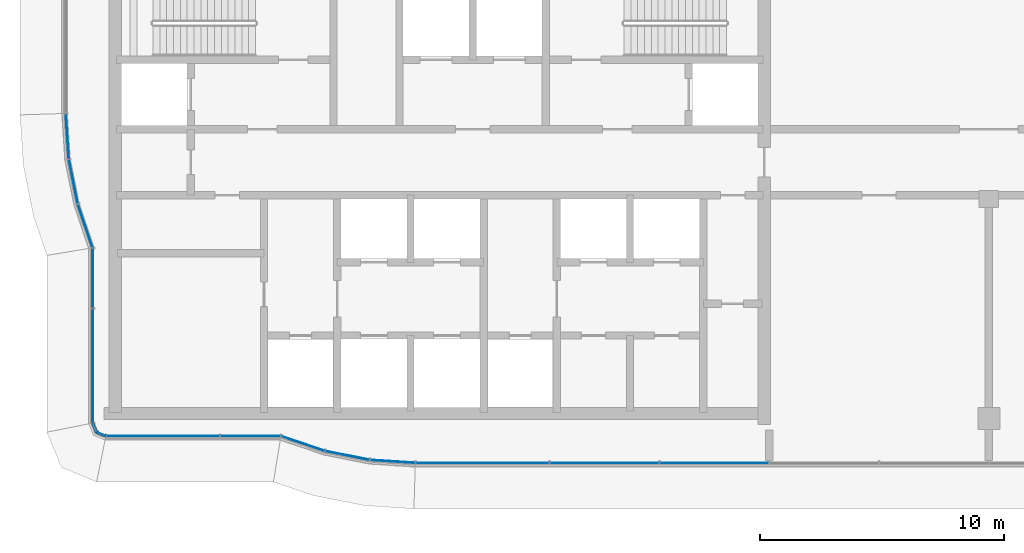
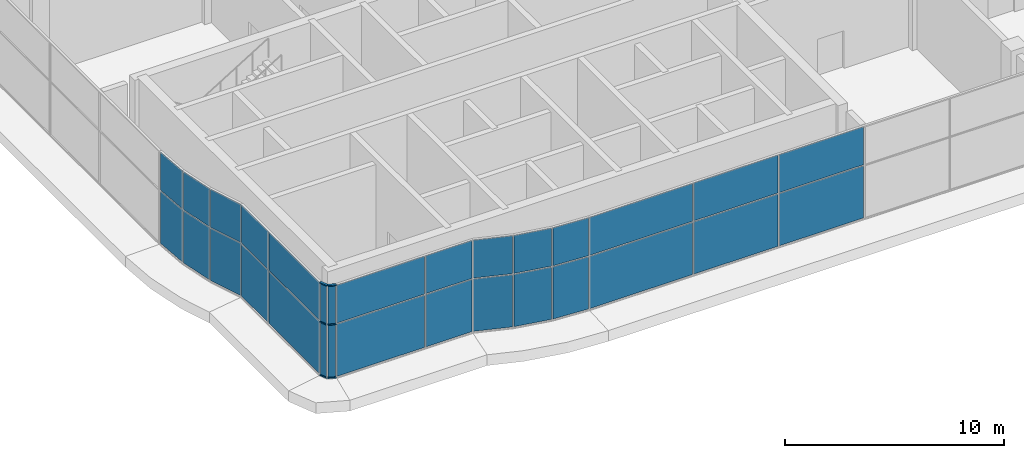
# One storey, part 11 of 23: 30 plates, 6 members, 6 elements without a shape of their own.
"""IFC4 building model written with IfcOpenShell, lengths in metres."""

from ifc_helpers import new_model, si_unit, direction, frame, origin, origin_2d, place, context, subcontext, project, spatial, rectangle, extrude, material, layer, layer_set, material_profile, profile_set, type_object, element, aggregate, save


model = new_model("IFC4")

# Units and contexts
model_context = context("Model", 3, precision=1e-05, world=origin(), true_north=direction((0.0, 1.0)))
body_context = subcontext(model_context, "Body", "Model", "MODEL_VIEW")
ifc_project = project(units=[si_unit("LENGTHUNIT", "METRE"), si_unit("AREAUNIT", "SQUARE_METRE"), si_unit("VOLUMEUNIT", "CUBIC_METRE"), si_unit("PLANEANGLEUNIT", "RADIAN"), si_unit("MASSUNIT", "GRAM", prefix="KILO")], contexts=[model_context])

# Site, building, storey
site_placement = place(None, origin())
site = spatial("IfcSite", under=ifc_project, at=site_placement, CompositionType="ELEMENT")
building_placement = place(site_placement, origin())
building = spatial("IfcBuilding", under=site, at=building_placement, Name="Ogive Portal Towers", CompositionType="ELEMENT")
storey_placement = place(building_placement, frame((0.0, 0.0, 249.39990234375)))
storey = spatial("IfcBuildingStorey", under=building, at=storey_placement, Name="L62", CompositionType="ELEMENT", Elevation=249.39990234375)

# Curtain wall, members
ifc_material_1 = material(Name="Glass, clear low-iron insulated glazing", Category="glass")
curtain_wall_type = type_object("IfcCurtainWallType", Name="CW OBSERVATION WALL", PredefinedType="NOTDEFINED", material=ifc_material_1)
curtain_wall_1_placement = place(storey_placement, origin())
curtain_wall_1 = element("IfcCurtainWall", 1, at=curtain_wall_1_placement, inside=storey, type_object=curtain_wall_type, Name="A:L62:f01:cwa", PredefinedType="NOTDEFINED")
ifc_material_2 = material(Name="Aluminium 6063 anodised", Category="aluminium")
ifc_material_profile = material_profile(ifc_material_2, rectangle(XDim=0.1201171875, YDim=0.06005859375, at=origin_2d()), Name="AL 120x60")
ifc_profile_set = profile_set([ifc_material_profile], Name="Aluminium 6063 anodised")
member_type = type_object("IfcMemberType", Name="CW TRANSOM 60x120", PredefinedType="USERDEFINED", material=ifc_profile_set)
member_1_placement = place(storey_placement, frame((30.780029296875, 21.31591796875, 0.030029296875), z_axis=(0.382754843841, -0.923849949676, 0.0), x_axis=(0.923849949676, 0.382754843841, 0.0)))
member_1 = element("IfcMember", 2, at=member_1_placement, type_object=member_type, Name="transom", ObjectType="TRANSOM", PredefinedType="USERDEFINED", context=body_context, shape_type="SweptSolid", body=[
    extrude(rectangle(XDim=0.1201171875, YDim=0.06005859375, at=origin_2d()), origin(), (0.0, 0.0, 1.0), 0.41015625),
])
member_2_placement = place(storey_placement, frame((30.780029296875, 21.31591796875, 3.0), z_axis=(0.382754843841, -0.923849949676, 0.0), x_axis=(0.923849949676, 0.382754843841, 0.0)))
member_2 = element("IfcMember", 3, at=member_2_placement, type_object=member_type, Name="transom", ObjectType="TRANSOM", PredefinedType="USERDEFINED", context=body_context, shape_type="SweptSolid", body=[
    extrude(rectangle(XDim=0.1201171875, YDim=0.06005859375, at=origin_2d()), origin(), (0.0, 0.0, 1.0), 0.41015625),
])
member_3_placement = place(storey_placement, frame((30.780029296875, 21.31591796875, 5.170166015625), z_axis=(0.382754843841, -0.923849949676, 0.0), x_axis=(0.923849949676, 0.382754843841, 0.0)))
member_3 = element("IfcMember", 4, at=member_3_placement, type_object=member_type, Name="transom", ObjectType="TRANSOM", PredefinedType="USERDEFINED", context=body_context, shape_type="SweptSolid", body=[
    extrude(rectangle(XDim=0.1201171875, YDim=0.06005859375, at=origin_2d()), origin(), (0.0, 0.0, 1.0), 0.41015625),
])
member_4_placement = place(storey_placement, frame((30.93701171875, 20.93701171875, 0.030029296875), z_axis=(0.923849949676, -0.382754843841, 0.0), x_axis=(0.382754843841, 0.923849949676, 0.0)))
member_4 = element("IfcMember", 5, at=member_4_placement, type_object=member_type, Name="transom", ObjectType="TRANSOM", PredefinedType="USERDEFINED", context=body_context, shape_type="SweptSolid", body=[
    extrude(rectangle(XDim=0.1201171875, YDim=0.06005859375, at=origin_2d()), origin(), (0.0, 0.0, 1.0), 0.41015625),
])
member_5_placement = place(storey_placement, frame((30.93701171875, 20.93701171875, 3.0), z_axis=(0.923849949676, -0.382754843841, 0.0), x_axis=(0.382754843841, 0.923849949676, 0.0)))
member_5 = element("IfcMember", 6, at=member_5_placement, type_object=member_type, Name="transom", ObjectType="TRANSOM", PredefinedType="USERDEFINED", context=body_context, shape_type="SweptSolid", body=[
    extrude(rectangle(XDim=0.1201171875, YDim=0.06005859375, at=origin_2d()), origin(), (0.0, 0.0, 1.0), 0.41015625),
])
member_6_placement = place(storey_placement, frame((30.93701171875, 20.93701171875, 5.170166015625), z_axis=(0.923849949676, -0.382754843841, 0.0), x_axis=(0.382754843841, 0.923849949676, 0.0)))
member_6 = element("IfcMember", 7, at=member_6_placement, type_object=member_type, Name="transom", ObjectType="TRANSOM", PredefinedType="USERDEFINED", context=body_context, shape_type="SweptSolid", body=[
    extrude(rectangle(XDim=0.1201171875, YDim=0.06005859375, at=origin_2d()), origin(), (0.0, 0.0, 1.0), 0.41015625),
])

# Curtain wall, plates
curtain_wall_2_placement = place(storey_placement, origin())
curtain_wall_2 = element("IfcCurtainWall", 8, at=curtain_wall_2_placement, inside=storey, type_object=curtain_wall_type, Name="A:L62:f00:cw0", PredefinedType="NOTDEFINED")
ifc_layer = layer(ifc_material_1, 0.028076171875)
ifc_layer_set = layer_set([ifc_layer], Name="CW PANEL IGU 28")
plate_type = type_object("IfcPlateType", Name="CW PANEL IGU 28", PredefinedType="CURTAIN_PANEL", material=ifc_layer_set)
plate_1_placement = place(storey_placement, frame((30.780029296875, 27.247314453125, 0.06005859375), z_axis=(0.0, 0.0, 1.0), x_axis=(0.0, -1.0, 0.0)))
plate_1 = element("IfcPlate", 9, at=plate_1_placement, type_object=plate_type, Name="panel", PredefinedType="CURTAIN_PANEL", context=body_context, shape_type="SweptSolid", body=[
    extrude(rectangle(XDim=2.434814453125, YDim=0.028076171875, at=origin_2d()), origin(), (0.0, 0.0, 1.0), 2.909912109375),
])
plate_2_placement = place(storey_placement, frame((30.780029296875, 27.247314453125, 3.0302734375), z_axis=(0.0, 0.0, 1.0), x_axis=(0.0, -1.0, 0.0)))
plate_2 = element("IfcPlate", 10, at=plate_2_placement, type_object=plate_type, Name="panel", PredefinedType="CURTAIN_PANEL", context=body_context, shape_type="SweptSolid", body=[
    extrude(rectangle(XDim=2.434814453125, YDim=0.028076171875, at=origin_2d()), origin(), (0.0, 0.0, 1.0), 2.110107421875),
])
plate_3_placement = place(storey_placement, frame((30.780029296875, 23.657958984375, 0.06005859375), z_axis=(0.0, 0.0, 1.0), x_axis=(0.0, -1.0, 0.0)))
plate_3 = element("IfcPlate", 11, at=plate_3_placement, type_object=plate_type, Name="panel", PredefinedType="CURTAIN_PANEL", context=body_context, shape_type="SweptSolid", body=[
    extrude(rectangle(XDim=4.6240234375, YDim=0.028076171875, at=origin_2d()), origin(), (0.0, 0.0, 1.0), 2.909912109375),
])
plate_4_placement = place(storey_placement, frame((30.780029296875, 23.657958984375, 3.0302734375), z_axis=(0.0, 0.0, 1.0), x_axis=(0.0, -1.0, 0.0)))
plate_4 = element("IfcPlate", 12, at=plate_4_placement, type_object=plate_type, Name="panel", PredefinedType="CURTAIN_PANEL", context=body_context, shape_type="SweptSolid", body=[
    extrude(rectangle(XDim=4.6240234375, YDim=0.028076171875, at=origin_2d()), origin(), (0.0, 0.0, 1.0), 2.110107421875),
])
aggregate(curtain_wall_2, [plate_1, plate_2, plate_3, plate_4])

curtain_wall_3_placement = place(storey_placement, origin())
curtain_wall_3 = element("IfcCurtainWall", 13, at=curtain_wall_3_placement, inside=storey, type_object=curtain_wall_type, Name="A:L62:f03:cw0", PredefinedType="NOTDEFINED")
plate_5_placement = place(storey_placement, frame((33.657958984375, 20.780029296875, 0.06005859375), z_axis=(0.0, 0.0, 1.0), x_axis=(1.0, 0.0, 0.0)))
plate_5 = element("IfcPlate", 14, at=plate_5_placement, type_object=plate_type, Name="panel", PredefinedType="CURTAIN_PANEL", context=body_context, shape_type="SweptSolid", body=[
    extrude(rectangle(XDim=4.6240234375, YDim=0.028076171875, at=origin_2d()), origin(), (0.0, 0.0, 1.0), 2.909912109375),
])
plate_6_placement = place(storey_placement, frame((33.657958984375, 20.780029296875, 3.0302734375), z_axis=(0.0, 0.0, 1.0), x_axis=(1.0, 0.0, 0.0)))
plate_6 = element("IfcPlate", 15, at=plate_6_placement, type_object=plate_type, Name="panel", PredefinedType="CURTAIN_PANEL", context=body_context, shape_type="SweptSolid", body=[
    extrude(rectangle(XDim=4.6240234375, YDim=0.028076171875, at=origin_2d()), origin(), (0.0, 0.0, 1.0), 2.110107421875),
])
plate_7_placement = place(storey_placement, frame((37.247314453125, 20.780029296875, 0.06005859375), z_axis=(0.0, 0.0, 1.0), x_axis=(1.0, 0.0, 0.0)))
plate_7 = element("IfcPlate", 16, at=plate_7_placement, type_object=plate_type, Name="panel", PredefinedType="CURTAIN_PANEL", context=body_context, shape_type="SweptSolid", body=[
    extrude(rectangle(XDim=2.434814453125, YDim=0.028076171875, at=origin_2d()), origin(), (0.0, 0.0, 1.0), 2.909912109375),
])
plate_8_placement = place(storey_placement, frame((37.247314453125, 20.780029296875, 3.0302734375), z_axis=(0.0, 0.0, 1.0), x_axis=(1.0, 0.0, 0.0)))
plate_8 = element("IfcPlate", 17, at=plate_8_placement, type_object=plate_type, Name="panel", PredefinedType="CURTAIN_PANEL", context=body_context, shape_type="SweptSolid", body=[
    extrude(rectangle(XDim=2.434814453125, YDim=0.028076171875, at=origin_2d()), origin(), (0.0, 0.0, 1.0), 2.110107421875),
])
aggregate(curtain_wall_3, [plate_5, plate_6, plate_7, plate_8])

curtain_wall_4_placement = place(storey_placement, origin())
curtain_wall_4 = element("IfcCurtainWall", 18, at=curtain_wall_4_placement, inside=storey, type_object=curtain_wall_type, Name="A:L62:f07:cw0", PredefinedType="NOTDEFINED")
plate_9_placement = place(storey_placement, frame((46.751220703125, 19.679931640625, 0.06005859375), z_axis=(0.0, 0.0, 1.0), x_axis=(1.0, 0.0, 0.0)))
plate_9 = element("IfcPlate", 19, at=plate_9_placement, type_object=plate_type, Name="panel", PredefinedType="CURTAIN_PANEL", context=body_context, shape_type="SweptSolid", body=[
    extrude(rectangle(XDim=5.4375, YDim=0.028076171875, at=origin_2d()), origin(), (0.0, 0.0, 1.0), 2.909912109375),
])
plate_10_placement = place(storey_placement, frame((46.751220703125, 19.679931640625, 3.0302734375), z_axis=(0.0, 0.0, 1.0), x_axis=(1.0, 0.0, 0.0)))
plate_10 = element("IfcPlate", 20, at=plate_10_placement, type_object=plate_type, Name="panel", PredefinedType="CURTAIN_PANEL", context=body_context, shape_type="SweptSolid", body=[
    extrude(rectangle(XDim=5.4375, YDim=0.028076171875, at=origin_2d()), origin(), (0.0, 0.0, 1.0), 2.110107421875),
])
plate_11_placement = place(storey_placement, frame((51.75, 19.679931640625, 0.06005859375), z_axis=(0.0, 0.0, 1.0), x_axis=(1.0, 0.0, 0.0)))
plate_11 = element("IfcPlate", 21, at=plate_11_placement, type_object=plate_type, Name="panel", PredefinedType="CURTAIN_PANEL", context=body_context, shape_type="SweptSolid", body=[
    extrude(rectangle(XDim=4.43994140625, YDim=0.028076171875, at=origin_2d()), origin(), (0.0, 0.0, 1.0), 2.909912109375),
])
plate_12_placement = place(storey_placement, frame((51.75, 19.679931640625, 3.0302734375), z_axis=(0.0, 0.0, 1.0), x_axis=(1.0, 0.0, 0.0)))
plate_12 = element("IfcPlate", 22, at=plate_12_placement, type_object=plate_type, Name="panel", PredefinedType="CURTAIN_PANEL", context=body_context, shape_type="SweptSolid", body=[
    extrude(rectangle(XDim=4.43994140625, YDim=0.028076171875, at=origin_2d()), origin(), (0.0, 0.0, 1.0), 2.110107421875),
])
plate_13_placement = place(storey_placement, frame((56.25, 19.679931640625, 0.06005859375), z_axis=(0.0, 0.0, 1.0), x_axis=(1.0, 0.0, 0.0)))
plate_13 = element("IfcPlate", 23, at=plate_13_placement, type_object=plate_type, Name="panel", PredefinedType="CURTAIN_PANEL", context=body_context, shape_type="SweptSolid", body=[
    extrude(rectangle(XDim=4.43994140625, YDim=0.028076171875, at=origin_2d()), origin(), (0.0, 0.0, 1.0), 2.909912109375),
])
plate_14_placement = place(storey_placement, frame((56.25, 19.679931640625, 3.0302734375), z_axis=(0.0, 0.0, 1.0), x_axis=(1.0, 0.0, 0.0)))
plate_14 = element("IfcPlate", 24, at=plate_14_placement, type_object=plate_type, Name="panel", PredefinedType="CURTAIN_PANEL", context=body_context, shape_type="SweptSolid", body=[
    extrude(rectangle(XDim=4.43994140625, YDim=0.028076171875, at=origin_2d()), origin(), (0.0, 0.0, 1.0), 2.110107421875),
])
aggregate(curtain_wall_4, [plate_9, plate_10, plate_11, plate_12, plate_13, plate_14])

# Plate
plate_15_placement = place(storey_placement, frame((30.8583984375, 21.12646484375, 0.06005859375), z_axis=(0.0, 0.0, 1.0), x_axis=(0.382683432365, -0.923879532511, 0.0)))
plate_15 = element("IfcPlate", 25, at=plate_15_placement, type_object=plate_type, Name="panel", PredefinedType="CURTAIN_PANEL", context=body_context, shape_type="SweptSolid", body=[
    extrude(rectangle(XDim=0.35009765625, YDim=0.028076171875, at=origin_2d()), origin(), (0.0, 0.0, 1.0), 2.909912109375),
])

plate_16_placement = place(storey_placement, frame((30.8583984375, 21.12646484375, 3.0302734375), z_axis=(0.0, 0.0, 1.0), x_axis=(0.382683432365, -0.923879532511, 0.0)))
plate_16 = element("IfcPlate", 26, at=plate_16_placement, type_object=plate_type, Name="panel", PredefinedType="CURTAIN_PANEL", context=body_context, shape_type="SweptSolid", body=[
    extrude(rectangle(XDim=0.35009765625, YDim=0.028076171875, at=origin_2d()), origin(), (0.0, 0.0, 1.0), 2.110107421875),
])

plate_17_placement = place(storey_placement, frame((31.12646484375, 20.8583984375, 0.06005859375), z_axis=(0.0, 0.0, 1.0), x_axis=(0.923879532511, -0.382683432365, 0.0)))
plate_17 = element("IfcPlate", 27, at=plate_17_placement, type_object=plate_type, Name="panel", PredefinedType="CURTAIN_PANEL", context=body_context, shape_type="SweptSolid", body=[
    extrude(rectangle(XDim=0.35009765625, YDim=0.028076171875, at=origin_2d()), origin(), (0.0, 0.0, 1.0), 2.909912109375),
])

plate_18_placement = place(storey_placement, frame((31.12646484375, 20.8583984375, 3.0302734375), z_axis=(0.0, 0.0, 1.0), x_axis=(0.923879532511, -0.382683432365, 0.0)))
plate_18 = element("IfcPlate", 28, at=plate_18_placement, type_object=plate_type, Name="panel", PredefinedType="CURTAIN_PANEL", context=body_context, shape_type="SweptSolid", body=[
    extrude(rectangle(XDim=0.35009765625, YDim=0.028076171875, at=origin_2d()), origin(), (0.0, 0.0, 1.0), 2.110107421875),
])

aggregate(curtain_wall_1, [member_1, member_2, member_3, member_4, member_5, member_6, plate_15, plate_16, plate_17, plate_18])

# Curtain wall, plates
curtain_wall_5_placement = place(storey_placement, origin())
curtain_wall_5 = element("IfcCurtainWall", 29, at=curtain_wall_5_placement, inside=storey, type_object=curtain_wall_type, Name="A:L62:f04:cwa", PredefinedType="NOTDEFINED")
plate_19_placement = place(storey_placement, frame((39.394287109375, 20.47412109375, 0.06005859375), z_axis=(0.0, 0.0, 1.0), x_axis=(0.946736187494, -0.322010234759, 0.0)))
plate_19 = element("IfcPlate", 30, at=plate_19_placement, type_object=plate_type, Name="panel", PredefinedType="CURTAIN_PANEL", context=body_context, shape_type="SweptSolid", body=[
    extrude(rectangle(XDim=1.84033203125, YDim=0.028076171875, at=origin_2d()), origin(), (0.0, 0.0, 1.0), 2.909912109375),
])
plate_20_placement = place(storey_placement, frame((39.394287109375, 20.47412109375, 3.0302734375), z_axis=(0.0, 0.0, 1.0), x_axis=(0.946736187494, -0.322010234759, 0.0)))
plate_20 = element("IfcPlate", 31, at=plate_20_placement, type_object=plate_type, Name="panel", PredefinedType="CURTAIN_PANEL", context=body_context, shape_type="SweptSolid", body=[
    extrude(rectangle(XDim=1.84033203125, YDim=0.028076171875, at=origin_2d()), origin(), (0.0, 0.0, 1.0), 2.110107421875),
])
plate_21_placement = place(storey_placement, frame((41.21240234375, 19.9853515625, 0.06005859375), z_axis=(0.0, 0.0, 1.0), x_axis=(0.980785280403, -0.195090322016, 0.0)))
plate_21 = element("IfcPlate", 32, at=plate_21_placement, type_object=plate_type, Name="panel", PredefinedType="CURTAIN_PANEL", context=body_context, shape_type="SweptSolid", body=[
    extrude(rectangle(XDim=1.81298828125, YDim=0.028076171875, at=origin_2d()), origin(), (0.0, 0.0, 1.0), 2.909912109375),
])
plate_22_placement = place(storey_placement, frame((41.21240234375, 19.9853515625, 3.0302734375), z_axis=(0.0, 0.0, 1.0), x_axis=(0.980785280403, -0.195090322016, 0.0)))
plate_22 = element("IfcPlate", 33, at=plate_22_placement, type_object=plate_type, Name="panel", PredefinedType="CURTAIN_PANEL", context=body_context, shape_type="SweptSolid", body=[
    extrude(rectangle(XDim=1.81298828125, YDim=0.028076171875, at=origin_2d()), origin(), (0.0, 0.0, 1.0), 2.110107421875),
])
plate_23_placement = place(storey_placement, frame((43.066650390625, 19.741455078125, 0.06005859375), z_axis=(0.0, 0.0, 1.0), x_axis=(0.997858923239, -0.06540312923, 0.0)))
plate_23 = element("IfcPlate", 34, at=plate_23_placement, type_object=plate_type, Name="panel", PredefinedType="CURTAIN_PANEL", context=body_context, shape_type="SweptSolid", body=[
    extrude(rectangle(XDim=1.815673828125, YDim=0.028076171875, at=origin_2d()), origin(), (0.0, 0.0, 1.0), 2.909912109375),
])
plate_24_placement = place(storey_placement, frame((43.066650390625, 19.741455078125, 3.0302734375), z_axis=(0.0, 0.0, 1.0), x_axis=(0.997858923239, -0.06540312923, 0.0)))
plate_24 = element("IfcPlate", 35, at=plate_24_placement, type_object=plate_type, Name="panel", PredefinedType="CURTAIN_PANEL", context=body_context, shape_type="SweptSolid", body=[
    extrude(rectangle(XDim=1.815673828125, YDim=0.028076171875, at=origin_2d()), origin(), (0.0, 0.0, 1.0), 2.110107421875),
])
aggregate(curtain_wall_5, [plate_19, plate_20, plate_21, plate_22, plate_23, plate_24])

curtain_wall_6_placement = place(storey_placement, origin())
curtain_wall_6 = element("IfcCurtainWall", 36, at=curtain_wall_6_placement, inside=storey, type_object=curtain_wall_type, Name="A:L62:f26:cwa", PredefinedType="NOTDEFINED")
plate_25_placement = place(storey_placement, frame((29.741455078125, 33.066650390625, 0.06005859375), z_axis=(0.0, 0.0, 1.0), x_axis=(0.06540312923, -0.997858923239, 0.0)))
plate_25 = element("IfcPlate", 37, at=plate_25_placement, type_object=plate_type, Name="panel", PredefinedType="CURTAIN_PANEL", context=body_context, shape_type="SweptSolid", body=[
    extrude(rectangle(XDim=1.815673828125, YDim=0.028076171875, at=origin_2d()), origin(), (0.0, 0.0, 1.0), 2.909912109375),
])
plate_26_placement = place(storey_placement, frame((29.741455078125, 33.066650390625, 3.0302734375), z_axis=(0.0, 0.0, 1.0), x_axis=(0.06540312923, -0.997858923239, 0.0)))
plate_26 = element("IfcPlate", 38, at=plate_26_placement, type_object=plate_type, Name="panel", PredefinedType="CURTAIN_PANEL", context=body_context, shape_type="SweptSolid", body=[
    extrude(rectangle(XDim=1.815673828125, YDim=0.028076171875, at=origin_2d()), origin(), (0.0, 0.0, 1.0), 2.110107421875),
])
plate_27_placement = place(storey_placement, frame((29.9853515625, 31.21240234375, 0.06005859375), z_axis=(0.0, 0.0, 1.0), x_axis=(0.195090322016, -0.980785280403, 0.0)))
plate_27 = element("IfcPlate", 39, at=plate_27_placement, type_object=plate_type, Name="panel", PredefinedType="CURTAIN_PANEL", context=body_context, shape_type="SweptSolid", body=[
    extrude(rectangle(XDim=1.81298828125, YDim=0.028076171875, at=origin_2d()), origin(), (0.0, 0.0, 1.0), 2.909912109375),
])
plate_28_placement = place(storey_placement, frame((29.9853515625, 31.21240234375, 3.0302734375), z_axis=(0.0, 0.0, 1.0), x_axis=(0.195090322016, -0.980785280403, 0.0)))
plate_28 = element("IfcPlate", 40, at=plate_28_placement, type_object=plate_type, Name="panel", PredefinedType="CURTAIN_PANEL", context=body_context, shape_type="SweptSolid", body=[
    extrude(rectangle(XDim=1.81298828125, YDim=0.028076171875, at=origin_2d()), origin(), (0.0, 0.0, 1.0), 2.110107421875),
])
plate_29_placement = place(storey_placement, frame((30.47412109375, 29.394287109375, 0.06005859375), z_axis=(0.0, 0.0, 1.0), x_axis=(0.322010234759, -0.946736187494, 0.0)))
plate_29 = element("IfcPlate", 41, at=plate_29_placement, type_object=plate_type, Name="panel", PredefinedType="CURTAIN_PANEL", context=body_context, shape_type="SweptSolid", body=[
    extrude(rectangle(XDim=1.84033203125, YDim=0.028076171875, at=origin_2d()), origin(), (0.0, 0.0, 1.0), 2.909912109375),
])
plate_30_placement = place(storey_placement, frame((30.47412109375, 29.394287109375, 3.0302734375), z_axis=(0.0, 0.0, 1.0), x_axis=(0.322010234759, -0.946736187494, 0.0)))
plate_30 = element("IfcPlate", 42, at=plate_30_placement, type_object=plate_type, Name="panel", PredefinedType="CURTAIN_PANEL", context=body_context, shape_type="SweptSolid", body=[
    extrude(rectangle(XDim=1.84033203125, YDim=0.028076171875, at=origin_2d()), origin(), (0.0, 0.0, 1.0), 2.110107421875),
])
aggregate(curtain_wall_6, [plate_25, plate_26, plate_27, plate_28, plate_29, plate_30])

save(model, "model.ifc")
